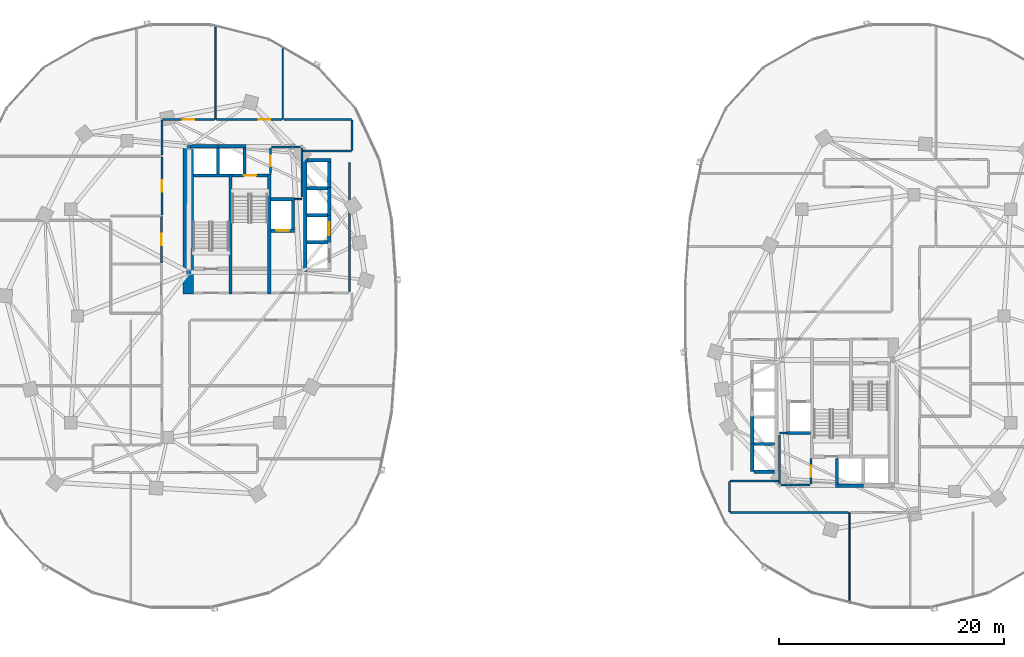
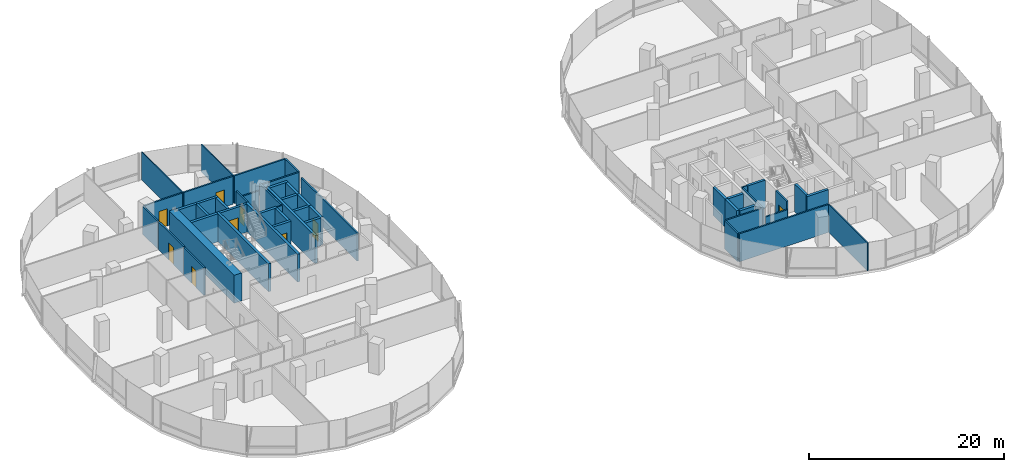
# One storey, part 12 of 22: 50 walls, 9 doors, 9 openings.
"""IFC4 building model written with IfcOpenShell, lengths in metres."""

from ifc_helpers import new_model, si_unit, direction, frame, frame_2d, origin, place, context, subcontext, project, spatial, rectangle, extrude, material, layer, layer_set, type_object, element, fill, save


model = new_model("IFC4")

# Units and contexts
model_context = context("Model", 3, precision=1e-05, world=origin(), true_north=direction((0.0, 1.0)))
body_context = subcontext(model_context, "Body", "Model", "MODEL_VIEW")
ifc_project = project(units=[si_unit("LENGTHUNIT", "METRE"), si_unit("AREAUNIT", "SQUARE_METRE"), si_unit("VOLUMEUNIT", "CUBIC_METRE"), si_unit("PLANEANGLEUNIT", "RADIAN"), si_unit("MASSUNIT", "GRAM", prefix="KILO"), si_unit("THERMODYNAMICTEMPERATUREUNIT", "KELVIN"), si_unit("POWERUNIT", "WATT")], contexts=[model_context])

# Site, building, storey
site_placement = place(None, origin())
site = spatial("IfcSite", under=ifc_project, at=site_placement, CompositionType="ELEMENT")
building_placement = place(site_placement, origin())
building = spatial("IfcBuilding", under=site, at=building_placement, Name="Cundina Bronze Exchange", CompositionType="ELEMENT")
storey_placement = place(building_placement, frame((0.0, 0.0, 39.199951171875)))
storey = spatial("IfcBuildingStorey", under=building, at=storey_placement, Name="L09", CompositionType="ELEMENT", Elevation=39.199951171875)

# Walls
ifc_material_1 = material(Name="Gypsum Fireboard Partition EI120")
ifc_layer_1 = layer(ifc_material_1, 0.179931640625, Name="Gypsum Fireboard Partition EI120")
ifc_layer_set_1 = layer_set([ifc_layer_1], Name="Gypsum Fireboard Partition EI120")
wall_type_1 = type_object("IfcWallType", Name="WL-COR-180", PredefinedType="PARTITIONING", material=ifc_layer_set_1)
wall_1_placement = place(storey_placement, frame((-17.02001953125, 2.169921875, 0.0), z_axis=(0.0, 0.0, 1.0), x_axis=(0.0, 1.0, 0.0)))
element("IfcWall", 1, at=wall_1_placement, inside=storey, type_object=wall_type_1, Name="L09 Interior Partition 001", PredefinedType="PARTITIONING", context=body_context, shape_type="SweptSolid", body=[
    extrude(rectangle(XDim=11.510009765625, YDim=0.179931640625, at=frame_2d((5.7548828125, 0.0))), origin(), (0.0, 0.0, 1.0), 3.5),
])
wall_2_placement = place(storey_placement, frame((-21.25, 10.570068359375, 0.0), z_axis=(0.0, 0.0, 1.0), x_axis=(0.0, 1.0, 0.0)))
element("IfcWall", 2, at=wall_2_placement, inside=storey, type_object=wall_type_1, Name="L09 Interior Partition 004", PredefinedType="PARTITIONING", context=body_context, shape_type="SweptSolid", body=[
    extrude(rectangle(XDim=4.35986328125, YDim=0.179931640625, at=frame_2d((2.179931640625, 0.0))), origin(), (0.0, 0.0, 1.0), 3.5),
])
wall_3_placement = place(storey_placement, frame((-23.9599609375, 15.030029296875, 0.0), z_axis=(0.0, 0.0, 1.0), x_axis=(1.0, 0.0, 0.0)))
element("IfcWall", 3, at=wall_3_placement, inside=storey, type_object=wall_type_1, Name="L09 Interior Partition 005", PredefinedType="PARTITIONING", context=body_context, shape_type="SweptSolid", body=[
    extrude(rectangle(XDim=2.60986328125, YDim=0.179931640625, at=frame_2d((1.304931640625, 0.0))), origin(), (0.0, 0.0, 1.0), 2.572998046875),
])

# Wall, opening, door
wall_4_placement = place(storey_placement, frame((-24.02001953125, 12.669921875, 0.0), z_axis=(0.0, 0.0, 1.0), x_axis=(0.0, 1.0, 0.0)))
wall_4 = element("IfcWall", 4, at=wall_4_placement, inside=storey, type_object=wall_type_1, Name="L09 Interior Partition 007", PredefinedType="PARTITIONING", context=body_context, shape_type="SweptSolid", body=[
    extrude(rectangle(XDim=2.260009765625, YDim=0.179931640625, at=frame_2d((1.1298828125, 0.0))), origin(), (0.0, 0.0, 1.0), 3.5),
])
opening_1_placement = place(wall_4_placement, frame((0.655029296875, 0.0, 0.0)))
opening_1 = element("IfcOpeningElement", 5, at=opening_1_placement, cuts=wall_4, Name="Opening DW-01", PredefinedType="OPENING", context=body_context, shape_type="SweptSolid", body=[
    extrude(rectangle(XDim=0.949951171875, YDim=2.10009765625, at=frame_2d((0.47509765625, 1.050048828125))), frame((0.0, 0.099853515625, 0.0), z_axis=(0.0, -1.0, 0.0), x_axis=(1.0, 0.0, 0.0)), (0.0, 0.0, 1.0), 0.199951171875),
])
ifc_material_2 = material(Name="Solid Andean Oak Timber Grade A", Category="wood")
door_type_1 = type_object("IfcDoorType", Name="DR-WC-950", OperationType="NOTDEFINED", PredefinedType="DOOR", material=ifc_material_2)
door_1_placement = place(opening_1_placement, origin())
door_1 = element("IfcDoor", 6, at=door_1_placement, inside=storey, type_object=door_type_1, Name="L09 Interior Door 007", OperationType="SINGLE_SWING_LEFT", OverallHeight=2.10009765625, OverallWidth=0.949951171875, PredefinedType="DOOR", context=body_context, shape_type="SweptSolid", body=[
    extrude(rectangle(XDim=0.949951171875, YDim=2.10009765625, at=frame_2d((0.47509765625, 1.050048828125))), frame((0.0, 0.02490234375, 0.0), z_axis=(0.0, -1.0, 0.0), x_axis=(1.0, 0.0, 0.0)), (0.0, 0.0, 1.0), 0.050048828125),
])
fill(opening_1, door_1)

wall_5_placement = place(storey_placement, frame((-33.719970703125, 4.72998046875, 0.0), z_axis=(0.0, 0.0, 1.0), x_axis=(0.0, 1.0, 0.0)))
wall_5 = element("IfcWall", 7, at=wall_5_placement, inside=storey, type_object=wall_type_1, Name="L09 Interior Partition 014", PredefinedType="PARTITIONING", context=body_context, shape_type="SweptSolid", body=[
    extrude(rectangle(XDim=4.159912109375, YDim=0.179931640625, at=frame_2d((2.080078125, 0.0))), origin(), (0.0, 0.0, 1.0), 3.5),
])
opening_2_placement = place(wall_5_placement, frame((1.580078125, 0.0, 0.0)))
opening_2 = element("IfcOpeningElement", 8, at=opening_2_placement, cuts=wall_5, Name="Opening DO-01", PredefinedType="OPENING", context=body_context, shape_type="SweptSolid", body=[
    extrude(rectangle(XDim=1.0, YDim=2.14990234375, at=frame_2d((0.5, 1.074951171875))), frame((0.0, 0.099853515625, 0.0), z_axis=(0.0, -1.0, 0.0), x_axis=(1.0, 0.0, 0.0)), (0.0, 0.0, 1.0), 0.199951171875),
])
door_type_2 = type_object("IfcDoorType", Name="DR-OFF-1000", OperationType="NOTDEFINED", PredefinedType="DOOR", material=ifc_material_2)
door_2_placement = place(opening_2_placement, origin())
door_2 = element("IfcDoor", 9, at=door_2_placement, inside=storey, type_object=door_type_2, Name="L09 Interior Door 014", OperationType="SINGLE_SWING_RIGHT", OverallHeight=2.14990234375, OverallWidth=1.0, PredefinedType="DOOR", context=body_context, shape_type="SweptSolid", body=[
    extrude(rectangle(XDim=1.0, YDim=2.14990234375, at=frame_2d((0.5, 1.074951171875))), frame((0.0, 0.02490234375, 0.0), z_axis=(0.0, -1.0, 0.0), x_axis=(1.0, 0.0, 0.0)), (0.0, 0.0, 1.0), 0.050048828125),
])
fill(opening_2, door_2)

# Walls
wall_6_placement = place(storey_placement, frame((-16.821533203125, 17.469970703125, 0.0), z_axis=(0.0, 0.0, 1.0), x_axis=(-1.0, 0.0, 0.0)))
element("IfcWall", 10, at=wall_6_placement, inside=storey, type_object=wall_type_1, Name="L09 Interior Partition 041", PredefinedType="PARTITIONING", context=body_context, shape_type="SweptSolid", body=[
    extrude(rectangle(XDim=6.028564453125, YDim=0.179931640625, at=frame_2d((3.01416015625, 0.0))), origin(), (0.0, 0.0, 1.0), 3.5),
])
wall_7_placement = place(storey_placement, frame((-21.178466796875, 14.679931640625, 0.0), z_axis=(0.0, 0.0, 1.0), x_axis=(1.0, 0.0, 0.0)))
element("IfcWall", 11, at=wall_7_placement, inside=storey, type_object=wall_type_1, Name="L09 Interior Partition 043", PredefinedType="PARTITIONING", context=body_context, shape_type="SweptSolid", body=[
    extrude(rectangle(XDim=4.35693359375, YDim=0.179931640625, at=frame_2d((2.178466796875, 0.0))), origin(), (0.0, 0.0, 1.0), 3.5),
])
wall_8_placement = place(storey_placement, frame((-16.780029296875, 14.721435546875, 0.0), z_axis=(0.0, 0.0, 1.0), x_axis=(0.0, 1.0, 0.0)))
element("IfcWall", 12, at=wall_8_placement, inside=storey, type_object=wall_type_1, Name="L09 Interior Partition 044", PredefinedType="PARTITIONING", context=body_context, shape_type="SweptSolid", body=[
    extrude(rectangle(XDim=2.70703125, YDim=0.179931640625, at=frame_2d((1.353515625, 0.0))), origin(), (0.0, 0.0, 1.0), 3.5),
])

# Wall, opening, door
wall_9_placement = place(storey_placement, frame((-33.669921875, 14.1298828125, 0.0), z_axis=(0.0, 0.0, 1.0), x_axis=(0.0, -1.0, 0.0)))
wall_9 = element("IfcWall", 13, at=wall_9_placement, inside=storey, type_object=wall_type_1, Name="L09 Interior Partition 046", PredefinedType="PARTITIONING", context=body_context, shape_type="SweptSolid", body=[
    extrude(rectangle(XDim=5.12841796875, YDim=0.179931640625, at=frame_2d((2.564208984375, 0.0))), origin(), (0.0, 0.0, 1.0), 3.5),
])
opening_3_placement = place(wall_9_placement, frame((2.064208984375, 0.0, 0.0)))
opening_3 = element("IfcOpeningElement", 14, at=opening_3_placement, cuts=wall_9, Name="Opening DO-01", PredefinedType="OPENING", context=body_context, shape_type="SweptSolid", body=[
    extrude(rectangle(XDim=1.0, YDim=2.14990234375, at=frame_2d((0.5, 1.074951171875))), frame((0.0, 0.099853515625, 0.0), z_axis=(0.0, -1.0, 0.0), x_axis=(1.0, 0.0, 0.0)), (0.0, 0.0, 1.0), 0.199951171875),
])
door_3_placement = place(opening_3_placement, origin())
door_3 = element("IfcDoor", 15, at=door_3_placement, inside=storey, type_object=door_type_2, Name="L09 Interior Door 046", OperationType="SINGLE_SWING_LEFT", OverallHeight=2.14990234375, OverallWidth=1.0, PredefinedType="DOOR", context=body_context, shape_type="SweptSolid", body=[
    extrude(rectangle(XDim=1.0, YDim=2.14990234375, at=frame_2d((0.5, 1.074951171875))), frame((0.0, 0.02490234375, 0.0), z_axis=(0.0, -1.0, 0.0), x_axis=(1.0, 0.0, 0.0)), (0.0, 0.0, 1.0), 0.050048828125),
])
fill(opening_3, door_3)

wall_10_placement = place(storey_placement, frame((-29.030029296875, 17.469970703125, 0.0), z_axis=(0.0, 0.0, 1.0), x_axis=(-1.0, 0.0, 0.0)))
wall_10 = element("IfcWall", 16, at=wall_10_placement, inside=storey, type_object=wall_type_1, Name="L09 Interior Partition 047", PredefinedType="PARTITIONING", context=body_context, shape_type="SweptSolid", body=[
    extrude(rectangle(XDim=4.598388671875, YDim=0.179931640625, at=frame_2d((2.29931640625, 0.0))), origin(), (0.0, 0.0, 1.0), 3.5),
])
opening_4_placement = place(wall_10_placement, frame((1.79931640625, 0.0, 0.0)))
opening_4 = element("IfcOpeningElement", 17, at=opening_4_placement, cuts=wall_10, Name="Opening DO-01", PredefinedType="OPENING", context=body_context, shape_type="SweptSolid", body=[
    extrude(rectangle(XDim=1.0, YDim=2.14990234375, at=frame_2d((0.5, 1.074951171875))), frame((0.0, 0.099853515625, 0.0), z_axis=(0.0, -1.0, 0.0), x_axis=(1.0, 0.0, 0.0)), (0.0, 0.0, 1.0), 0.199951171875),
])
door_4_placement = place(opening_4_placement, origin())
door_4 = element("IfcDoor", 18, at=door_4_placement, inside=storey, type_object=door_type_2, Name="L09 Interior Door 047", OperationType="SINGLE_SWING_RIGHT", OverallHeight=2.14990234375, OverallWidth=1.0, PredefinedType="DOOR", context=body_context, shape_type="SweptSolid", body=[
    extrude(rectangle(XDim=1.0, YDim=2.14990234375, at=frame_2d((0.5, 1.074951171875))), frame((0.0, 0.02490234375, 0.0), z_axis=(0.0, -1.0, 0.0), x_axis=(1.0, 0.0, 0.0)), (0.0, 0.0, 1.0), 0.050048828125),
])
fill(opening_4, door_4)

# Wall
wall_11_placement = place(storey_placement, frame((-33.669921875, 17.428466796875, 0.0), z_axis=(0.0, 0.0, 1.0), x_axis=(0.0, -1.0, 0.0)))
element("IfcWall", 19, at=wall_11_placement, inside=storey, type_object=wall_type_1, Name="L09 Interior Partition 048", PredefinedType="PARTITIONING", context=body_context, shape_type="SweptSolid", body=[
    extrude(rectangle(XDim=3.118408203125, YDim=0.179931640625, at=frame_2d((1.55908203125, 0.0))), origin(), (0.0, 0.0, 1.0), 3.5),
])

# Wall, opening, door
wall_12_placement = place(storey_placement, frame((-23.030029296875, 17.469970703125, 0.0), z_axis=(0.0, 0.0, 1.0), x_axis=(-1.0, 0.0, 0.0)))
wall_12 = element("IfcWall", 20, at=wall_12_placement, inside=storey, type_object=wall_type_1, Name="L09 Interior Partition 049", PredefinedType="PARTITIONING", context=body_context, shape_type="SweptSolid", body=[
    extrude(rectangle(XDim=5.820068359375, YDim=0.179931640625, at=frame_2d((2.91015625, 0.0))), origin(), (0.0, 0.0, 1.0), 3.5),
])
opening_5_placement = place(wall_12_placement, frame((1.035888671875, 0.0, 0.0)))
opening_5 = element("IfcOpeningElement", 21, at=opening_5_placement, cuts=wall_12, Name="Opening DO-01", PredefinedType="OPENING", context=body_context, shape_type="SweptSolid", body=[
    extrude(rectangle(XDim=1.0, YDim=2.14990234375, at=frame_2d((0.5, 1.074951171875))), frame((0.0, 0.099853515625, 0.0), z_axis=(0.0, -1.0, 0.0), x_axis=(1.0, 0.0, 0.0)), (0.0, 0.0, 1.0), 0.199951171875),
])
door_5_placement = place(opening_5_placement, origin())
door_5 = element("IfcDoor", 22, at=door_5_placement, inside=storey, type_object=door_type_2, Name="L09 Interior Door 049", OperationType="SINGLE_SWING_RIGHT", OverallHeight=2.14990234375, OverallWidth=1.0, PredefinedType="DOOR", context=body_context, shape_type="SweptSolid", body=[
    extrude(rectangle(XDim=1.0, YDim=2.14990234375, at=frame_2d((0.5, 1.074951171875))), frame((0.0, 0.02490234375, 0.0), z_axis=(0.0, -1.0, 0.0), x_axis=(1.0, 0.0, 0.0)), (0.0, 0.0, 1.0), 0.050048828125),
])
fill(opening_5, door_5)

# Walls
wall_13_placement = place(storey_placement, frame((21.25, -14.929931640625, 0.0), z_axis=(0.0, 0.0, 1.0), x_axis=(0.0, 1.0, 0.0)))
element("IfcWall", 23, at=wall_13_placement, inside=storey, type_object=wall_type_1, Name="L09 Interior Partition 053", PredefinedType="PARTITIONING", context=body_context, shape_type="SweptSolid", body=[
    extrude(rectangle(XDim=4.35986328125, YDim=0.179931640625, at=frame_2d((2.179931640625, 0.0))), origin(), (0.0, 0.0, 1.0), 3.5),
])
wall_14_placement = place(storey_placement, frame((21.35009765625, -15.030029296875, 0.0), z_axis=(0.0, 0.0, 1.0), x_axis=(1.0, 0.0, 0.0)))
element("IfcWall", 24, at=wall_14_placement, inside=storey, type_object=wall_type_1, Name="L09 Interior Partition 054", PredefinedType="PARTITIONING", context=body_context, shape_type="SweptSolid", body=[
    extrude(rectangle(XDim=2.60986328125, YDim=0.179931640625, at=frame_2d((1.304931640625, 0.0))), origin(), (0.0, 0.0, 1.0), 2.572998046875),
])

# Wall, opening, door
wall_15_placement = place(storey_placement, frame((24.02001953125, -14.929931640625, 0.0), z_axis=(0.0, 0.0, 1.0), x_axis=(0.0, 1.0, 0.0)))
wall_15 = element("IfcWall", 25, at=wall_15_placement, inside=storey, type_object=wall_type_1, Name="L09 Interior Partition 056", PredefinedType="PARTITIONING", context=body_context, shape_type="SweptSolid", body=[
    extrude(rectangle(XDim=2.260009765625, YDim=0.179931640625, at=frame_2d((1.1298828125, 0.0))), origin(), (0.0, 0.0, 1.0), 3.5),
])
opening_6_placement = place(wall_15_placement, frame((0.655029296875, 0.0, 0.0)))
opening_6 = element("IfcOpeningElement", 26, at=opening_6_placement, cuts=wall_15, Name="Opening DW-01", PredefinedType="OPENING", context=body_context, shape_type="SweptSolid", body=[
    extrude(rectangle(XDim=0.949951171875, YDim=2.10009765625, at=frame_2d((0.47509765625, 1.050048828125))), frame((0.0, 0.099853515625, 0.0), z_axis=(0.0, -1.0, 0.0), x_axis=(1.0, 0.0, 0.0)), (0.0, 0.0, 1.0), 0.199951171875),
])
door_6_placement = place(opening_6_placement, origin())
door_6 = element("IfcDoor", 27, at=door_6_placement, inside=storey, type_object=door_type_1, Name="L09 Interior Door 056", OperationType="SINGLE_SWING_RIGHT", OverallHeight=2.10009765625, OverallWidth=0.949951171875, PredefinedType="DOOR", context=body_context, shape_type="SweptSolid", body=[
    extrude(rectangle(XDim=0.949951171875, YDim=2.10009765625, at=frame_2d((0.47509765625, 1.050048828125))), frame((0.0, 0.02490234375, 0.0), z_axis=(0.0, -1.0, 0.0), x_axis=(1.0, 0.0, 0.0)), (0.0, 0.0, 1.0), 0.050048828125),
])
fill(opening_6, door_6)

# Walls
wall_16_placement = place(storey_placement, frame((16.821533203125, -17.469970703125, 0.0), z_axis=(0.0, 0.0, 1.0), x_axis=(1.0, 0.0, 0.0)))
element("IfcWall", 28, at=wall_16_placement, inside=storey, type_object=wall_type_1, Name="L09 Interior Partition 081", PredefinedType="PARTITIONING", context=body_context, shape_type="SweptSolid", body=[
    extrude(rectangle(XDim=10.548583984375, YDim=0.179931640625, at=frame_2d((5.2744140625, 0.0))), origin(), (0.0, 0.0, 1.0), 3.5),
])
wall_17_placement = place(storey_placement, frame((21.178466796875, -14.679931640625, 0.0), z_axis=(0.0, 0.0, 1.0), x_axis=(-1.0, 0.0, 0.0)))
element("IfcWall", 29, at=wall_17_placement, inside=storey, type_object=wall_type_1, Name="L09 Interior Partition 083", PredefinedType="PARTITIONING", context=body_context, shape_type="SweptSolid", body=[
    extrude(rectangle(XDim=4.35693359375, YDim=0.179931640625, at=frame_2d((2.178466796875, 0.0))), origin(), (0.0, 0.0, 1.0), 3.5),
])
wall_18_placement = place(storey_placement, frame((16.780029296875, -14.721435546875, 0.0), z_axis=(0.0, 0.0, 1.0), x_axis=(0.0, -1.0, 0.0)))
element("IfcWall", 30, at=wall_18_placement, inside=storey, type_object=wall_type_1, Name="L09 Interior Partition 084", PredefinedType="PARTITIONING", context=body_context, shape_type="SweptSolid", body=[
    extrude(rectangle(XDim=2.70703125, YDim=0.179931640625, at=frame_2d((1.353515625, 0.0))), origin(), (0.0, 0.0, 1.0), 3.5),
])
ifc_material_3 = material(Name="Concrete C60/75", Category="concrete")
ifc_layer_2 = layer(ifc_material_3, 0.89990234375, Name="Concrete C60/75", Category="concrete")
ifc_layer_set_2 = layer_set([ifc_layer_2], Name="Concrete C60/75")
wall_type_2 = type_object("IfcWallType", Name="WL-CORE-900", PredefinedType="SHEAR", material=ifc_layer_set_2)
wall_19_placement = place(storey_placement, frame((-31.35009765625, 1.969970703125, 0.0), z_axis=(0.0, 0.0, 1.0), x_axis=(0.0, 1.0, 0.0)))
element("IfcWall", 31, at=wall_19_placement, inside=storey, type_object=wall_type_2, Name="L09 W Primary Core Shear Spine Wall", PredefinedType="SHEAR", context=body_context, shape_type="SweptSolid", body=[
    extrude(rectangle(XDim=13.330078125, YDim=0.89990234375, at=frame_2d((6.6650390625, 0.0))), origin(), (0.0, 0.0, 1.0), 3.5),
])
ifc_material_4 = material(Name="Gypsum Acoustic Partition EI60")
ifc_layer_3 = layer(ifc_material_4, 0.125, Name="Gypsum Acoustic Partition EI60")
ifc_layer_set_3 = layer_set([ifc_layer_3], Name="Gypsum Acoustic Partition EI60")
wall_type_3 = type_object("IfcWallType", Name="WL-OFF-125", PredefinedType="PARTITIONING", material=ifc_layer_set_3)
wall_20_placement = place(storey_placement, frame((-28.93994140625, 17.5, 0.0), z_axis=(0.0, 0.0, 1.0), x_axis=(0.0, 1.0, 0.0)))
element("IfcWall", 32, at=wall_20_placement, inside=storey, type_object=wall_type_3, Name="L09 Interior Partition 026", PredefinedType="PARTITIONING", context=body_context, shape_type="SweptSolid", body=[
    extrude(rectangle(XDim=8.394775390625, YDim=0.125, at=frame_2d((4.197265625, 0.0))), origin(), (0.0, 0.0, 1.0), 3.5),
])
wall_21_placement = place(storey_placement, frame((-22.93994140625, 17.5, 0.0), z_axis=(0.0, 0.0, 1.0), x_axis=(0.0, 1.0, 0.0)))
element("IfcWall", 33, at=wall_21_placement, inside=storey, type_object=wall_type_3, Name="L09 Interior Partition 027", PredefinedType="PARTITIONING", context=body_context, shape_type="SweptSolid", body=[
    extrude(rectangle(XDim=6.490478515625, YDim=0.125, at=frame_2d((3.2451171875, 0.0))), origin(), (0.0, 0.0, 1.0), 3.5),
])
wall_22_placement = place(storey_placement, frame((27.4599609375, -25.5205078125, 0.0), z_axis=(0.0, 0.0, 1.0), x_axis=(0.0, 1.0, 0.0)))
element("IfcWall", 34, at=wall_22_placement, inside=storey, type_object=wall_type_3, Name="L09 Interior Partition 073", PredefinedType="PARTITIONING", context=body_context, shape_type="SweptSolid", body=[
    extrude(rectangle(XDim=8.0205078125, YDim=0.125, at=frame_2d((4.01025390625, 0.0))), origin(), (0.0, 0.0, 1.0), 3.5),
])
ifc_material_5 = material(Name="Concrete C50/60", Category="concrete")
ifc_layer_4 = layer(ifc_material_5, 0.300048828125, Name="Concrete C50/60", Category="concrete")
ifc_layer_set_4 = layer_set([ifc_layer_4], Name="Concrete C50/60")
wall_type_4 = type_object("IfcWallType", Name="WL-SHFT-300", PredefinedType="SHEAR", material=ifc_layer_set_4)
for number, where, z_axis, x_axis, name in (
    (35, (-27.590087890625, 1.969970703125, 0.0), (0.0, 0.0, 1.0), (0.0, 1.0, 0.0), "L09 W Stair Shaft Dividing Shear Wall"),
    (36, (-24.1298828125, 1.969970703125, 0.0), (0.0, 0.0, 1.0), (0.0, 1.0, 0.0), "L09 W Stair 2 East Shear Wall"),
):
    element("IfcWall", number, at=place(storey_placement, frame(where, z_axis=z_axis, x_axis=x_axis)), inside=storey, type_object=wall_type_4, Name=name, PredefinedType="SHEAR", context=body_context, shape_type="SweptSolid", body=[
        extrude(rectangle(XDim=10.679931640625, YDim=0.300048828125, at=frame_2d((5.33984375, 0.0))), origin(), (0.0, 0.0, 1.0), 3.5),
    ])
wall_23_placement = place(storey_placement, frame((-30.89990234375, 12.5, 0.0), z_axis=(0.0, 0.0, 1.0), x_axis=(1.0, 0.0, 0.0)))
element("IfcWall", 37, at=wall_23_placement, inside=storey, type_object=wall_type_4, Name="L09 Stair W1 Far Shaft Wall", PredefinedType="SHEAR", context=body_context, shape_type="SweptSolid", body=[
    extrude(rectangle(XDim=3.159912109375, YDim=0.300048828125, at=frame_2d((1.580078125, 0.0))), origin(), (0.0, 0.0, 1.0), 3.5),
])

# Wall, opening, door
wall_24_placement = place(storey_placement, frame((-27.43994140625, 12.5, 0.0), z_axis=(0.0, 0.0, 1.0), x_axis=(1.0, 0.0, 0.0)))
wall_24 = element("IfcWall", 38, at=wall_24_placement, inside=storey, type_object=wall_type_4, Name="L09 Stair W2 Landing Wall", PredefinedType="SHEAR", context=body_context, shape_type="SweptSolid", body=[
    extrude(rectangle(XDim=3.159912109375, YDim=0.300048828125, at=frame_2d((1.580078125, 0.0))), origin(), (0.0, 0.0, 1.0), 3.5),
])
opening_7_placement = place(wall_24_placement, frame((1.030029296875, 0.0, 0.0)))
opening_7 = element("IfcOpeningElement", 39, at=opening_7_placement, cuts=wall_24, Name="Opening DS-01", PredefinedType="OPENING", context=body_context, shape_type="SweptSolid", body=[
    extrude(rectangle(XDim=1.10009765625, YDim=2.14990234375, at=frame_2d((0.550048828125, 1.074951171875))), frame((0.0, 0.159912109375, 0.0), z_axis=(0.0, -1.0, 0.0), x_axis=(1.0, 0.0, 0.0)), (0.0, 0.0, 1.0), 0.320068359375),
])
ifc_material_6 = material(Name="Steel ASTM A36 Painted", Category="steel")
door_type_3 = type_object("IfcDoorType", Name="DR-STR-1100", OperationType="NOTDEFINED", PredefinedType="DOOR", material=ifc_material_6)
door_7_placement = place(opening_7_placement, origin())
door_7 = element("IfcDoor", 40, at=door_7_placement, inside=storey, type_object=door_type_3, Name="L09 Smokeproof Stair W2 Door", OperationType="SINGLE_SWING_LEFT", OverallHeight=2.14990234375, OverallWidth=1.10009765625, PredefinedType="DOOR", context=body_context, shape_type="SweptSolid", body=[
    extrude(rectangle(XDim=1.10009765625, YDim=2.14990234375, at=frame_2d((0.550048828125, 1.074951171875))), frame((0.0, 0.02490234375, 0.0), z_axis=(0.0, -1.0, 0.0), x_axis=(1.0, 0.0, 0.0)), (0.0, 0.0, 1.0), 0.050048828125),
])
fill(opening_7, door_7)

wall_25_placement = place(storey_placement, frame((-23.97998046875, 7.60009765625, 0.0), z_axis=(0.0, 0.0, 1.0), x_axis=(1.0, 0.0, 0.0)))
wall_25 = element("IfcWall", 41, at=wall_25_placement, inside=storey, type_object=wall_type_4, Name="L09 FFL-W Hoistway Front Wall", PredefinedType="SHEAR", context=body_context, shape_type="SweptSolid", body=[
    extrude(rectangle(XDim=2.10009765625, YDim=0.300048828125, at=frame_2d((1.050048828125, 0.0))), origin(), (0.0, 0.0, 1.0), 3.5),
])
opening_8_placement = place(wall_25_placement, frame((0.47509765625, 0.0, 0.0)))
opening_8 = element("IfcOpeningElement", 42, at=opening_8_placement, cuts=wall_25, Name="Opening LD-01", PredefinedType="OPENING", context=body_context, shape_type="SweptSolid", body=[
    extrude(rectangle(XDim=1.14990234375, YDim=2.199951171875, at=frame_2d((0.574951171875, 1.10009765625))), frame((0.0, 0.159912109375, 0.0), z_axis=(0.0, -1.0, 0.0), x_axis=(1.0, 0.0, 0.0)), (0.0, 0.0, 1.0), 0.320068359375),
])
door_type_4 = type_object("IfcDoorType", Name="DR-LND-1150", OperationType="NOTDEFINED", PredefinedType="TRAPDOOR", material=ifc_material_6)
door_8_placement = place(opening_8_placement, origin())
door_8 = element("IfcDoor", 43, at=door_8_placement, inside=storey, type_object=door_type_4, Name="L09 FFL-W Sliding Landing Door", OperationType="SLIDING_TO_LEFT", OverallHeight=2.199951171875, OverallWidth=1.14990234375, PredefinedType="TRAPDOOR", context=body_context, shape_type="SweptSolid", body=[
    extrude(rectangle(XDim=1.14990234375, YDim=2.199951171875, at=frame_2d((0.574951171875, 1.10009765625))), frame((0.0, 0.02490234375, 0.0), z_axis=(0.0, -1.0, 0.0), x_axis=(1.0, 0.0, 0.0)), (0.0, 0.0, 1.0), 0.050048828125),
])
fill(opening_8, door_8)

# Walls
wall_26_placement = place(storey_placement, frame((-23.97998046875, 10.39990234375, 0.0), z_axis=(0.0, 0.0, 1.0), x_axis=(1.0, 0.0, 0.0)))
element("IfcWall", 44, at=wall_26_placement, inside=storey, type_object=wall_type_4, Name="L09 FFL-W Hoistway Back Wall", PredefinedType="SHEAR", context=body_context, shape_type="SweptSolid", body=[
    extrude(rectangle(XDim=2.10009765625, YDim=0.300048828125, at=frame_2d((1.050048828125, 0.0))), origin(), (0.0, 0.0, 1.0), 3.5),
])
for number, where, z_axis, x_axis, name in (
    (45, (-22.030029296875, 7.75, 0.0), (0.0, 0.0, 1.0), (0.0, 1.0, 0.0), "L09 FFL-W Hoistway Side Wall"),
    (46, (-31.199951171875, 15.10009765625, 0.0), (0.0, 0.0, 1.0), (1.0, 0.0, 0.0), "L09 PH-W1 Hoistway Front Wall"),
):
    element("IfcWall", number, at=place(storey_placement, frame(where, z_axis=z_axis, x_axis=x_axis)), inside=storey, type_object=wall_type_4, Name=name, PredefinedType="SHEAR", context=body_context, shape_type="SweptSolid", body=[
        extrude(rectangle(XDim=2.5, YDim=0.300048828125, at=frame_2d((1.25, 0.0))), origin(), (0.0, 0.0, 1.0), 3.5),
    ])
wall_27_placement = place(storey_placement, frame((-28.699951171875, 12.64990234375, 0.0), z_axis=(0.0, 0.0, 1.0), x_axis=(0.0, 1.0, 0.0)))
element("IfcWall", 47, at=wall_27_placement, inside=storey, type_object=wall_type_4, Name="L09 PH-W1 Hoistway Divider Wall", PredefinedType="SHEAR", context=body_context, shape_type="SweptSolid", body=[
    extrude(rectangle(XDim=2.300048828125, YDim=0.300048828125, at=frame_2d((1.14990234375, 0.0))), origin(), (0.0, 0.0, 1.0), 3.5),
])
wall_28_placement = place(storey_placement, frame((-28.699951171875, 15.10009765625, 0.0), z_axis=(0.0, 0.0, 1.0), x_axis=(1.0, 0.0, 0.0)))
element("IfcWall", 48, at=wall_28_placement, inside=storey, type_object=wall_type_4, Name="L09 PH-W2 Hoistway Front Wall", PredefinedType="SHEAR", context=body_context, shape_type="SweptSolid", body=[
    extrude(rectangle(XDim=2.5, YDim=0.300048828125, at=frame_2d((1.25, 0.0))), origin(), (0.0, 0.0, 1.0), 3.5),
])
wall_29_placement = place(storey_placement, frame((-26.35009765625, 12.64990234375, 0.0), z_axis=(0.0, 0.0, 1.0), x_axis=(0.0, 1.0, 0.0)))
element("IfcWall", 49, at=wall_29_placement, inside=storey, type_object=wall_type_4, Name="L09 PH-W2 Hoistway Divider Wall", PredefinedType="SHEAR", context=body_context, shape_type="SweptSolid", body=[
    extrude(rectangle(XDim=2.300048828125, YDim=0.300048828125, at=frame_2d((1.14990234375, 0.0))), origin(), (0.0, 0.0, 1.0), 3.5),
])
wall_30_placement = place(storey_placement, frame((-20.949951171875, 3.949951171875, 0.0), z_axis=(0.0, 0.0, 1.0), x_axis=(0.0, 1.0, 0.0)))
element("IfcWall", 50, at=wall_30_placement, inside=storey, type_object=wall_type_4, Name="L09 W Passenger Bank Hoistway Back Wall", PredefinedType="SHEAR", context=body_context, shape_type="SweptSolid", body=[
    extrude(rectangle(XDim=10.050048828125, YDim=0.300048828125, at=frame_2d((5.02490234375, 0.0))), origin(), (0.0, 0.0, 1.0), 3.5),
])
wall_31_placement = place(storey_placement, frame((-20.800048828125, 13.85009765625, 0.0), z_axis=(0.0, 0.0, 1.0), x_axis=(1.0, 0.0, 0.0)))
element("IfcWall", 51, at=wall_31_placement, inside=storey, type_object=wall_type_4, Name="L09 W Passenger Bank North Cap Wall", PredefinedType="SHEAR", context=body_context, shape_type="SweptSolid", body=[
    extrude(rectangle(XDim=2.150146484375, YDim=0.300048828125, at=frame_2d((1.0751953125, 0.0))), origin(), (0.0, 0.0, 1.0), 3.5),
])
for number, where, z_axis, x_axis, name in (
    (52, (-20.800048828125, 6.574951171875, 0.0), (0.0, 0.0, 1.0), (1.0, 0.0, 0.0), "L09 W Passenger Hoistway Divider 1"),
    (53, (-20.800048828125, 8.97509765625, 0.0), (0.0, 0.0, 1.0), (1.0, 0.0, 0.0), "L09 W Passenger Hoistway Divider 2"),
    (54, (-20.800048828125, 11.375, 0.0), (0.0, 0.0, 1.0), (1.0, 0.0, 0.0), "L09 W Passenger Hoistway Divider 3"),
):
    element("IfcWall", number, at=place(storey_placement, frame(where, z_axis=z_axis, x_axis=x_axis)), inside=storey, type_object=wall_type_4, Name=name, PredefinedType="SHEAR", context=body_context, shape_type="SweptSolid", body=[
        extrude(rectangle(XDim=1.85009765625, YDim=0.300048828125, at=frame_2d((0.925048828125, 0.0))), origin(), (0.0, 0.0, 1.0), 3.5),
    ])

# Wall, opening, door
wall_32_placement = place(storey_placement, frame((-18.800048828125, 6.530029296875, 0.0), z_axis=(0.0, 0.0, 1.0), x_axis=(0.0, 1.0, 0.0)))
wall_32 = element("IfcWall", 55, at=wall_32_placement, inside=storey, type_object=wall_type_4, Name="L09 PL-W1 Hoistway Front Wall", PredefinedType="SHEAR", context=body_context, shape_type="SweptSolid", body=[
    extrude(rectangle(XDim=2.489990234375, YDim=0.300048828125, at=frame_2d((1.2451171875, 0.0))), origin(), (0.0, 0.0, 1.0), 3.5),
])
opening_9_placement = place(wall_32_placement, frame((0.669921875, 0.0, 0.0)))
opening_9 = element("IfcOpeningElement", 56, at=opening_9_placement, cuts=wall_32, Name="Opening LD-01", PredefinedType="OPENING", context=body_context, shape_type="SweptSolid", body=[
    extrude(rectangle(XDim=1.14990234375, YDim=2.199951171875, at=frame_2d((0.574951171875, 1.10009765625))), frame((0.0, 0.159912109375, 0.0), z_axis=(0.0, -1.0, 0.0), x_axis=(1.0, 0.0, 0.0)), (0.0, 0.0, 1.0), 0.320068359375),
])
door_9_placement = place(opening_9_placement, origin())
door_9 = element("IfcDoor", 57, at=door_9_placement, inside=storey, type_object=door_type_4, Name="L09 PL-W1 Sliding Landing Door", OperationType="SLIDING_TO_LEFT", OverallHeight=2.199951171875, OverallWidth=1.14990234375, PredefinedType="TRAPDOOR", context=body_context, shape_type="SweptSolid", body=[
    extrude(rectangle(XDim=1.14990234375, YDim=2.199951171875, at=frame_2d((0.574951171875, 1.10009765625))), frame((0.0, 0.02490234375, 0.0), z_axis=(0.0, -1.0, 0.0), x_axis=(1.0, 0.0, 0.0)), (0.0, 0.0, 1.0), 0.050048828125),
])
fill(opening_9, door_9)

# Walls
for number, where, z_axis, x_axis, name in (
    (58, (-18.800048828125, 8.929931640625, 0.0), (0.0, 0.0, 1.0), (0.0, 1.0, 0.0), "L09 PM-W2 Hoistway Front Wall"),
    (59, (-18.800048828125, 11.330078125, 0.0), (0.0, 0.0, 1.0), (0.0, 1.0, 0.0), "L09 PM-W1 Hoistway Front Wall"),
):
    element("IfcWall", number, at=place(storey_placement, frame(where, z_axis=z_axis, x_axis=x_axis)), inside=storey, type_object=wall_type_4, Name=name, PredefinedType="SHEAR", context=body_context, shape_type="SweptSolid", body=[
        extrude(rectangle(XDim=2.489990234375, YDim=0.300048828125, at=frame_2d((1.2451171875, 0.0))), origin(), (0.0, 0.0, 1.0), 3.5),
    ])
wall_33_placement = place(storey_placement, frame((21.8798828125, -10.39990234375, 0.0), z_axis=(0.0, 0.0, 1.0), x_axis=(1.0, 0.0, 0.0)))
element("IfcWall", 60, at=wall_33_placement, inside=storey, type_object=wall_type_4, Name="L09 FFL-E Hoistway Back Wall", PredefinedType="SHEAR", context=body_context, shape_type="SweptSolid", body=[
    extrude(rectangle(XDim=2.10009765625, YDim=0.300048828125, at=frame_2d((1.050048828125, 0.0))), origin(), (0.0, 0.0, 1.0), 3.5),
])
wall_34_placement = place(storey_placement, frame((26.199951171875, -15.10009765625, 0.0), z_axis=(0.0, 0.0, 1.0), x_axis=(1.0, 0.0, 0.0)))
element("IfcWall", 61, at=wall_34_placement, inside=storey, type_object=wall_type_4, Name="L09 PH-E2 Hoistway Front Wall", PredefinedType="SHEAR", context=body_context, shape_type="SweptSolid", body=[
    extrude(rectangle(XDim=2.5, YDim=0.300048828125, at=frame_2d((1.25, 0.0))), origin(), (0.0, 0.0, 1.0), 3.5),
])
wall_35_placement = place(storey_placement, frame((26.35009765625, -14.949951171875, 0.0), z_axis=(0.0, 0.0, 1.0), x_axis=(0.0, 1.0, 0.0)))
element("IfcWall", 62, at=wall_35_placement, inside=storey, type_object=wall_type_4, Name="L09 PH-E2 Hoistway Divider Wall", PredefinedType="SHEAR", context=body_context, shape_type="SweptSolid", body=[
    extrude(rectangle(XDim=2.300048828125, YDim=0.300048828125, at=frame_2d((1.14990234375, 0.0))), origin(), (0.0, 0.0, 1.0), 3.5),
])
for number, where, z_axis, x_axis, name in (
    (63, (18.949951171875, -13.85009765625, 0.0), (0.0, 0.0, 1.0), (1.0, 0.0, 0.0), "L09 E Passenger Bank South Cap Wall"),
    (64, (18.949951171875, -11.375, 0.0), (0.0, 0.0, 1.0), (1.0, 0.0, 0.0), "L09 E Passenger Hoistway Divider 1"),
):
    element("IfcWall", number, at=place(storey_placement, frame(where, z_axis=z_axis, x_axis=x_axis)), inside=storey, type_object=wall_type_4, Name=name, PredefinedType="SHEAR", context=body_context, shape_type="SweptSolid", body=[
        extrude(rectangle(XDim=1.85009765625, YDim=0.300048828125, at=frame_2d((0.925048828125, 0.0))), origin(), (0.0, 0.0, 1.0), 3.5),
    ])
for number, where, z_axis, x_axis, name in (
    (65, (18.800048828125, -13.820068359375, 0.0), (0.0, 0.0, 1.0), (0.0, 1.0, 0.0), "L09 PM-E1 Hoistway Front Wall"),
    (66, (18.800048828125, -11.419921875, 0.0), (0.0, 0.0, 1.0), (0.0, 1.0, 0.0), "L09 PM-E2 Hoistway Front Wall"),
):
    element("IfcWall", number, at=place(storey_placement, frame(where, z_axis=z_axis, x_axis=x_axis)), inside=storey, type_object=wall_type_4, Name=name, PredefinedType="SHEAR", context=body_context, shape_type="SweptSolid", body=[
        extrude(rectangle(XDim=2.489990234375, YDim=0.300048828125, at=frame_2d((1.2451171875, 0.0))), origin(), (0.0, 0.0, 1.0), 3.5),
    ])
ifc_material_7 = material(Name="Moisture-Resistant Masonry Block Grade M15", Category="masonry")
ifc_layer_5 = layer(ifc_material_7, 0.139892578125, Name="Moisture-Resistant Masonry Block Grade M15", Category="masonry")
ifc_layer_set_5 = layer_set([ifc_layer_5], Name="Moisture-Resistant Masonry Block Grade M15")
wall_type_5 = type_object("IfcWallType", Name="WL-WET-140", PredefinedType="PARTITIONING", material=ifc_layer_set_5)
for number, where, z_axis, x_axis, name in (
    (67, (-21.860107421875, 10.39990234375, 0.0), (0.0, 0.0, 1.0), (1.0, 0.0, 0.0), "L09 Interior Partition 003"),
    (68, (21.27001953125, -10.39990234375, 0.0), (0.0, 0.0, 1.0), (1.0, 0.0, 0.0), "L09 Interior Partition 052"),
):
    element("IfcWall", number, at=place(storey_placement, frame(where, z_axis=z_axis, x_axis=x_axis)), inside=storey, type_object=wall_type_5, Name=name, PredefinedType="PARTITIONING", context=body_context, shape_type="SweptSolid", body=[
        extrude(rectangle(XDim=0.590087890625, YDim=0.139892578125, at=frame_2d((0.294921875, 0.0))), origin(), (0.0, 0.0, 1.0), 3.5),
    ])

save(model, "model.ifc")
